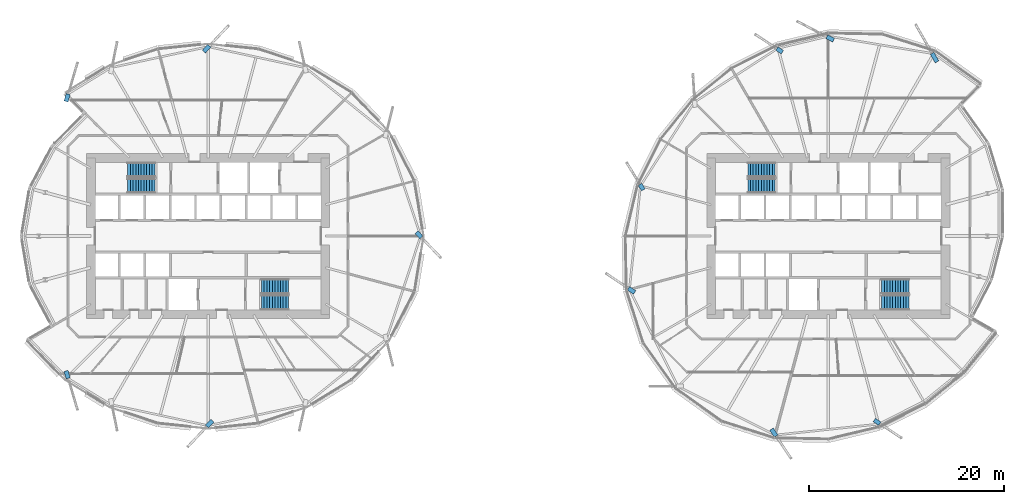
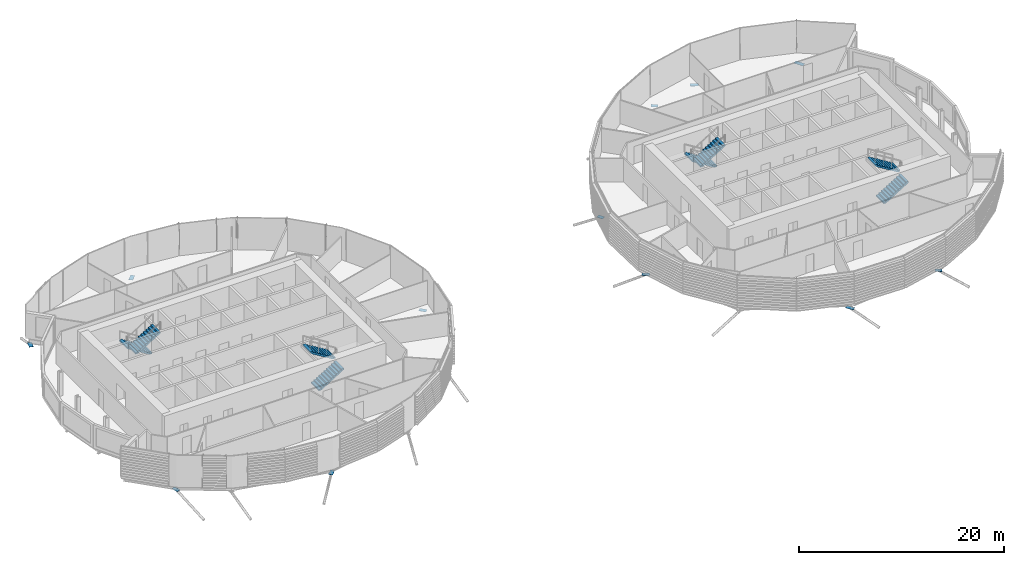
# One storey, part 25 of 36: 12 discrete accessories, 8 stair flights, 4 elements without a shape of their own.
"""IFC4 building model written with IfcOpenShell, lengths in metres."""

from ifc_helpers import new_model, si_unit, direction, frame, origin, origin_2d, place, context, subcontext, project, spatial, polyline, rectangle, outline, extrude, material, material_profile, profile_set, type_object, element, aggregate, save


model = new_model("IFC4")

# Units and contexts
model_context = context("Model", 3, precision=1e-05, world=origin(), true_north=direction((0.0, 1.0)))
body_context = subcontext(model_context, "Body", "Model", "MODEL_VIEW")
ifc_project = project(units=[si_unit("LENGTHUNIT", "METRE"), si_unit("AREAUNIT", "SQUARE_METRE"), si_unit("VOLUMEUNIT", "CUBIC_METRE"), si_unit("PLANEANGLEUNIT", "RADIAN"), si_unit("MASSUNIT", "GRAM", prefix="KILO")], contexts=[model_context])

# Site, building, storey
site_placement = place(None, origin())
site = spatial("IfcSite", under=ifc_project, at=site_placement, CompositionType="ELEMENT")
building_placement = place(site_placement, origin())
building = spatial("IfcBuilding", under=site, at=building_placement, Name="Rimbun Link Towers", CompositionType="ELEMENT")
storey_placement = place(building_placement, frame((0.0, 0.0, 37.60009765625)))
storey = spatial("IfcBuildingStorey", under=building, at=storey_placement, Name="L08", CompositionType="ELEMENT", Elevation=37.60009765625)

# Stair, stair flights
ifc_material_1 = material(Name="Concrete C40/50", Category="concrete")
stair_type = type_object("IfcStairType", Name="Exit stair 3800 rise", PredefinedType="HALF_TURN_STAIR", material=ifc_material_1)
stair_1_placement = place(storey_placement, origin())
stair_1 = element("IfcStair", 1, at=stair_1_placement, inside=storey, type_object=stair_type, Name="L08 EXIT STAIR A", PredefinedType="HALF_TURN_STAIR")
ifc_material_2 = material(Name="Concrete C40/50", Category="concrete")
stair_flight_type = type_object("IfcStairFlightType", Name="Exit stair flight 3800 rise", PredefinedType="STRAIGHT", material=ifc_material_2)
stair_flight_1_placement = place(storey_placement, frame((-37.199951171875, 6.800048828125, 0.0), z_axis=(0.0, 0.0, 1.0), x_axis=(-1.0, 0.0, 0.0)))
stair_flight_1 = element("IfcStairFlight", 2, at=stair_flight_1_placement, type_object=stair_flight_type, Name="ST1 flight 1", NumberOfRisers=11, NumberOfTreads=10, PredefinedType="STRAIGHT", RiserHeight=0.172727273, TreadLength=0.28, context=body_context, shape_type="SweptSolid", body=[
    extrude(outline(polyline([(0.0, 0.0), (0.0, 0.172607421875), (0.280029296875, 0.172607421875), (0.280029296875, 0.345458984375), (0.56005859375, 0.345458984375), (0.56005859375, 0.51806640625), (0.840087890625, 0.51806640625), (0.840087890625, 0.69091796875), (1.1201171875, 0.69091796875), (1.1201171875, 0.863525390625), (1.39990234375, 0.863525390625), (1.39990234375, 1.036376953125), (1.679931640625, 1.036376953125), (1.679931640625, 1.208984375), (1.9599609375, 1.208984375), (1.9599609375, 1.3818359375), (2.239990234375, 1.3818359375), (2.239990234375, 1.554443359375), (2.52001953125, 1.554443359375), (2.52001953125, 1.727294921875), (2.800048828125, 1.727294921875), (2.800048828125, 1.89990234375), (2.800048828125, 1.551025390625), (0.280029296875, 0.0), (0.0, 0.0)])), frame((0.0, 0.75, 0.0), z_axis=(0.0, -1.0, 0.0), x_axis=(1.0, 0.0, 0.0)), (0.0, 0.0, 1.0), 1.5),
])
stair_flight_2_placement = place(storey_placement, frame((-40.0, 5.14990234375, 1.89990234375), z_axis=(0.0, 0.0, 1.0), x_axis=(1.0, 0.0, 0.0)))
stair_flight_2 = element("IfcStairFlight", 3, at=stair_flight_2_placement, type_object=stair_flight_type, Name="ST1 flight 2", NumberOfRisers=11, NumberOfTreads=10, PredefinedType="STRAIGHT", RiserHeight=0.172727273, TreadLength=0.28, context=body_context, shape_type="SweptSolid", body=[
    extrude(outline(polyline([(0.0, 0.0), (0.0, 0.172607421875), (0.280029296875, 0.172607421875), (0.280029296875, 0.345458984375), (0.56005859375, 0.345458984375), (0.56005859375, 0.51806640625), (0.840087890625, 0.51806640625), (0.840087890625, 0.69091796875), (1.1201171875, 0.69091796875), (1.1201171875, 0.863525390625), (1.39990234375, 0.863525390625), (1.39990234375, 1.036376953125), (1.679931640625, 1.036376953125), (1.679931640625, 1.208984375), (1.9599609375, 1.208984375), (1.9599609375, 1.3818359375), (2.239990234375, 1.3818359375), (2.239990234375, 1.554443359375), (2.52001953125, 1.554443359375), (2.52001953125, 1.727294921875), (2.800048828125, 1.727294921875), (2.800048828125, 1.89990234375), (2.800048828125, 1.551025390625), (0.280029296875, 0.0), (0.0, 0.0)])), frame((0.0, 0.75, 0.0), z_axis=(0.0, -1.0, 0.0), x_axis=(1.0, 0.0, 0.0)), (0.0, 0.0, 1.0), 1.5),
])
aggregate(stair_1, [stair_flight_1, stair_flight_2])

stair_2_placement = place(storey_placement, origin())
stair_2 = element("IfcStair", 4, at=stair_2_placement, inside=storey, type_object=stair_type, Name="L08 EXIT STAIR B", PredefinedType="HALF_TURN_STAIR")
stair_flight_3_placement = place(storey_placement, frame((-26.300048828125, -6.800048828125, 0.0), z_axis=(0.0, 0.0, 1.0), x_axis=(1.0, 0.0, 0.0)))
stair_flight_3 = element("IfcStairFlight", 5, at=stair_flight_3_placement, type_object=stair_flight_type, Name="ST2 flight 1", NumberOfRisers=11, NumberOfTreads=10, PredefinedType="STRAIGHT", RiserHeight=0.172727273, TreadLength=0.28, context=body_context, shape_type="SweptSolid", body=[
    extrude(outline(polyline([(0.0, 0.0), (0.0, 0.172607421875), (0.280029296875, 0.172607421875), (0.280029296875, 0.345458984375), (0.56005859375, 0.345458984375), (0.56005859375, 0.51806640625), (0.840087890625, 0.51806640625), (0.840087890625, 0.69091796875), (1.1201171875, 0.69091796875), (1.1201171875, 0.863525390625), (1.39990234375, 0.863525390625), (1.39990234375, 1.036376953125), (1.679931640625, 1.036376953125), (1.679931640625, 1.208984375), (1.9599609375, 1.208984375), (1.9599609375, 1.3818359375), (2.239990234375, 1.3818359375), (2.239990234375, 1.554443359375), (2.52001953125, 1.554443359375), (2.52001953125, 1.727294921875), (2.800048828125, 1.727294921875), (2.800048828125, 1.89990234375), (2.800048828125, 1.551025390625), (0.280029296875, 0.0), (0.0, 0.0)])), frame((0.0, 0.75, 0.0), z_axis=(0.0, -1.0, 0.0), x_axis=(1.0, 0.0, 0.0)), (0.0, 0.0, 1.0), 1.5),
])
stair_flight_4_placement = place(storey_placement, frame((-23.5, -5.14990234375, 1.89990234375), z_axis=(0.0, 0.0, 1.0), x_axis=(-1.0, 0.0, 0.0)))
stair_flight_4 = element("IfcStairFlight", 6, at=stair_flight_4_placement, type_object=stair_flight_type, Name="ST2 flight 2", NumberOfRisers=11, NumberOfTreads=10, PredefinedType="STRAIGHT", RiserHeight=0.172727273, TreadLength=0.28, context=body_context, shape_type="SweptSolid", body=[
    extrude(outline(polyline([(0.0, 0.0), (0.0, 0.172607421875), (0.280029296875, 0.172607421875), (0.280029296875, 0.345458984375), (0.56005859375, 0.345458984375), (0.56005859375, 0.51806640625), (0.840087890625, 0.51806640625), (0.840087890625, 0.69091796875), (1.1201171875, 0.69091796875), (1.1201171875, 0.863525390625), (1.39990234375, 0.863525390625), (1.39990234375, 1.036376953125), (1.679931640625, 1.036376953125), (1.679931640625, 1.208984375), (1.9599609375, 1.208984375), (1.9599609375, 1.3818359375), (2.239990234375, 1.3818359375), (2.239990234375, 1.554443359375), (2.52001953125, 1.554443359375), (2.52001953125, 1.727294921875), (2.800048828125, 1.727294921875), (2.800048828125, 1.89990234375), (2.800048828125, 1.551025390625), (0.280029296875, 0.0), (0.0, 0.0)])), frame((0.0, 0.75, 0.0), z_axis=(0.0, -1.0, 0.0), x_axis=(1.0, 0.0, 0.0)), (0.0, 0.0, 1.0), 1.5),
])
aggregate(stair_2, [stair_flight_3, stair_flight_4])

stair_3_placement = place(storey_placement, origin())
stair_3 = element("IfcStair", 7, at=stair_3_placement, inside=storey, type_object=stair_type, Name="L08 EXIT STAIR A", PredefinedType="HALF_TURN_STAIR")
stair_flight_5_placement = place(storey_placement, frame((26.300048828125, 6.800048828125, 0.0), z_axis=(0.0, 0.0, 1.0), x_axis=(-1.0, 0.0, 0.0)))
stair_flight_5 = element("IfcStairFlight", 8, at=stair_flight_5_placement, type_object=stair_flight_type, Name="ST3 flight 1", NumberOfRisers=11, NumberOfTreads=10, PredefinedType="STRAIGHT", RiserHeight=0.172727273, TreadLength=0.28, context=body_context, shape_type="SweptSolid", body=[
    extrude(outline(polyline([(0.0, 0.0), (0.0, 0.172607421875), (0.280029296875, 0.172607421875), (0.280029296875, 0.345458984375), (0.56005859375, 0.345458984375), (0.56005859375, 0.51806640625), (0.840087890625, 0.51806640625), (0.840087890625, 0.69091796875), (1.1201171875, 0.69091796875), (1.1201171875, 0.863525390625), (1.39990234375, 0.863525390625), (1.39990234375, 1.036376953125), (1.679931640625, 1.036376953125), (1.679931640625, 1.208984375), (1.9599609375, 1.208984375), (1.9599609375, 1.3818359375), (2.239990234375, 1.3818359375), (2.239990234375, 1.554443359375), (2.52001953125, 1.554443359375), (2.52001953125, 1.727294921875), (2.800048828125, 1.727294921875), (2.800048828125, 1.89990234375), (2.800048828125, 1.551025390625), (0.280029296875, 0.0), (0.0, 0.0)])), frame((0.0, 0.75, 0.0), z_axis=(0.0, -1.0, 0.0), x_axis=(1.0, 0.0, 0.0)), (0.0, 0.0, 1.0), 1.5),
])
stair_flight_6_placement = place(storey_placement, frame((23.5, 5.14990234375, 1.89990234375), z_axis=(0.0, 0.0, 1.0), x_axis=(1.0, 0.0, 0.0)))
stair_flight_6 = element("IfcStairFlight", 9, at=stair_flight_6_placement, type_object=stair_flight_type, Name="ST3 flight 2", NumberOfRisers=11, NumberOfTreads=10, PredefinedType="STRAIGHT", RiserHeight=0.172727273, TreadLength=0.28, context=body_context, shape_type="SweptSolid", body=[
    extrude(outline(polyline([(0.0, 0.0), (0.0, 0.172607421875), (0.280029296875, 0.172607421875), (0.280029296875, 0.345458984375), (0.56005859375, 0.345458984375), (0.56005859375, 0.51806640625), (0.840087890625, 0.51806640625), (0.840087890625, 0.69091796875), (1.1201171875, 0.69091796875), (1.1201171875, 0.863525390625), (1.39990234375, 0.863525390625), (1.39990234375, 1.036376953125), (1.679931640625, 1.036376953125), (1.679931640625, 1.208984375), (1.9599609375, 1.208984375), (1.9599609375, 1.3818359375), (2.239990234375, 1.3818359375), (2.239990234375, 1.554443359375), (2.52001953125, 1.554443359375), (2.52001953125, 1.727294921875), (2.800048828125, 1.727294921875), (2.800048828125, 1.89990234375), (2.800048828125, 1.551025390625), (0.280029296875, 0.0), (0.0, 0.0)])), frame((0.0, 0.75, 0.0), z_axis=(0.0, -1.0, 0.0), x_axis=(1.0, 0.0, 0.0)), (0.0, 0.0, 1.0), 1.5),
])
aggregate(stair_3, [stair_flight_5, stair_flight_6])

stair_4_placement = place(storey_placement, origin())
stair_4 = element("IfcStair", 10, at=stair_4_placement, inside=storey, type_object=stair_type, Name="L08 EXIT STAIR B", PredefinedType="HALF_TURN_STAIR")
stair_flight_7_placement = place(storey_placement, frame((37.199951171875, -6.800048828125, 0.0), z_axis=(0.0, 0.0, 1.0), x_axis=(1.0, 0.0, 0.0)))
stair_flight_7 = element("IfcStairFlight", 11, at=stair_flight_7_placement, type_object=stair_flight_type, Name="ST4 flight 1", NumberOfRisers=11, NumberOfTreads=10, PredefinedType="STRAIGHT", RiserHeight=0.172727273, TreadLength=0.28, context=body_context, shape_type="SweptSolid", body=[
    extrude(outline(polyline([(0.0, 0.0), (0.0, 0.172607421875), (0.280029296875, 0.172607421875), (0.280029296875, 0.345458984375), (0.56005859375, 0.345458984375), (0.56005859375, 0.51806640625), (0.840087890625, 0.51806640625), (0.840087890625, 0.69091796875), (1.1201171875, 0.69091796875), (1.1201171875, 0.863525390625), (1.39990234375, 0.863525390625), (1.39990234375, 1.036376953125), (1.679931640625, 1.036376953125), (1.679931640625, 1.208984375), (1.9599609375, 1.208984375), (1.9599609375, 1.3818359375), (2.239990234375, 1.3818359375), (2.239990234375, 1.554443359375), (2.52001953125, 1.554443359375), (2.52001953125, 1.727294921875), (2.800048828125, 1.727294921875), (2.800048828125, 1.89990234375), (2.800048828125, 1.551025390625), (0.280029296875, 0.0), (0.0, 0.0)])), frame((0.0, 0.75, 0.0), z_axis=(0.0, -1.0, 0.0), x_axis=(1.0, 0.0, 0.0)), (0.0, 0.0, 1.0), 1.5),
])
stair_flight_8_placement = place(storey_placement, frame((40.0, -5.14990234375, 1.89990234375), z_axis=(0.0, 0.0, 1.0), x_axis=(-1.0, 0.0, 0.0)))
stair_flight_8 = element("IfcStairFlight", 12, at=stair_flight_8_placement, type_object=stair_flight_type, Name="ST4 flight 2", NumberOfRisers=11, NumberOfTreads=10, PredefinedType="STRAIGHT", RiserHeight=0.172727273, TreadLength=0.28, context=body_context, shape_type="SweptSolid", body=[
    extrude(outline(polyline([(0.0, 0.0), (0.0, 0.172607421875), (0.280029296875, 0.172607421875), (0.280029296875, 0.345458984375), (0.56005859375, 0.345458984375), (0.56005859375, 0.51806640625), (0.840087890625, 0.51806640625), (0.840087890625, 0.69091796875), (1.1201171875, 0.69091796875), (1.1201171875, 0.863525390625), (1.39990234375, 0.863525390625), (1.39990234375, 1.036376953125), (1.679931640625, 1.036376953125), (1.679931640625, 1.208984375), (1.9599609375, 1.208984375), (1.9599609375, 1.3818359375), (2.239990234375, 1.3818359375), (2.239990234375, 1.554443359375), (2.52001953125, 1.554443359375), (2.52001953125, 1.727294921875), (2.800048828125, 1.727294921875), (2.800048828125, 1.89990234375), (2.800048828125, 1.551025390625), (0.280029296875, 0.0), (0.0, 0.0)])), frame((0.0, 0.75, 0.0), z_axis=(0.0, -1.0, 0.0), x_axis=(1.0, 0.0, 0.0)), (0.0, 0.0, 1.0), 1.5),
])
aggregate(stair_4, [stair_flight_7, stair_flight_8])

# Discrete accessories
ifc_material_3 = material(Name="Steel S355J2H", Category="steel")
ifc_material_profile = material_profile(ifc_material_3, rectangle(XDim=0.43310546875, YDim=0.43310546875, at=origin_2d()), Name="PL 433x433")
ifc_profile_set = profile_set([ifc_material_profile], Name="Steel S355J2H")
discrete_accessory_type = type_object("IfcDiscreteAccessoryType", Name="Link head end plate 433X20", PredefinedType="BRACKET", material=ifc_profile_set)
discrete_accessory_1_placement = place(storey_placement, frame((0.0, 0.0, -0.713134765625)))
element("IfcDiscreteAccessory", 13, at=discrete_accessory_1_placement, inside=storey, type_object=discrete_accessory_type, Name="Link head end plate T1 L08 00", PredefinedType="BRACKET", context=body_context, shape_type="SweptSolid", body=[
    extrude(outline(polyline([(-10.5849609375, 0.256103515625), (-10.072021484375, -0.280517578125), (-9.7587890625, 0.0185546875), (-10.271728515625, 0.555419921875), (-10.5849609375, 0.256103515625)])), origin(), (0.0, 0.0, 1.0), 0.02001953125),
])
discrete_accessory_2_placement = place(storey_placement, frame((0.0, 0.0, -0.78271484375)))
element("IfcDiscreteAccessory", 14, at=discrete_accessory_2_placement, inside=storey, type_object=discrete_accessory_type, Name="Link head end plate T1 L08 06", PredefinedType="BRACKET", context=body_context, shape_type="SweptSolid", body=[
    extrude(outline(polyline([(-32.02783203125, 18.74365234375), (-31.468994140625, 19.334716796875), (-31.78369140625, 19.63232421875), (-32.342529296875, 19.041259765625), (-32.02783203125, 18.74365234375)])), origin(), (0.0, 0.0, 1.0), 0.02001953125),
])
discrete_accessory_3_placement = place(storey_placement, frame((0.0, 0.0, -0.713134765625)))
element("IfcDiscreteAccessory", 15, at=discrete_accessory_3_placement, inside=storey, type_object=discrete_accessory_type, Name="Link head end plate T1 L08 09", PredefinedType="BRACKET", context=body_context, shape_type="SweptSolid", body=[
    extrude(outline(polyline([(-46.092529296875, 13.732666015625), (-45.869873046875, 14.489501953125), (-46.285400390625, 14.61181640625), (-46.508056640625, 13.85498046875), (-46.092529296875, 13.732666015625)])), origin(), (0.0, 0.0, 1.0), 0.02001953125),
])
discrete_accessory_4_placement = place(storey_placement, frame((0.0, 0.0, -0.713134765625)))
element("IfcDiscreteAccessory", 16, at=discrete_accessory_4_placement, inside=storey, type_object=discrete_accessory_type, Name="Link head end plate T1 L08 15", PredefinedType="BRACKET", context=body_context, shape_type="SweptSolid", body=[
    extrude(outline(polyline([(-46.509521484375, -13.856689453125), (-46.28662109375, -14.61328125), (-45.871337890625, -14.49072265625), (-46.09423828125, -13.734130859375), (-46.509521484375, -13.856689453125)])), origin(), (0.0, 0.0, 1.0), 0.02001953125),
])
discrete_accessory_5_placement = place(storey_placement, frame((0.0, 0.0, -0.78271484375)))
element("IfcDiscreteAccessory", 17, at=discrete_accessory_5_placement, inside=storey, type_object=discrete_accessory_type, Name="Link head end plate T1 L08 18", PredefinedType="BRACKET", context=body_context, shape_type="SweptSolid", body=[
    extrude(outline(polyline([(-31.47216796875, -18.74365234375), (-32.031005859375, -19.334716796875), (-31.71630859375, -19.63232421875), (-31.157470703125, -19.041259765625), (-31.47216796875, -18.74365234375)])), origin(), (0.0, 0.0, 1.0), 0.02001953125),
])
discrete_accessory_6_placement = place(storey_placement, frame((0.0, 0.0, -0.863525390625)))
element("IfcDiscreteAccessory", 18, at=discrete_accessory_6_placement, inside=storey, type_object=discrete_accessory_type, Name="Link head end plate T2 L08 01", PredefinedType="BRACKET", context=body_context, shape_type="SweptSolid", body=[
    extrude(outline(polyline([(43.06201171875, 17.953369140625), (42.563720703125, 18.82421875), (42.18798828125, 18.60888671875), (42.686279296875, 17.73828125), (43.06201171875, 17.953369140625)])), origin(), (0.0, 0.0, 1.0), 0.02001953125),
])
discrete_accessory_7_placement = place(storey_placement, frame((0.0, 0.0, -0.863525390625)))
element("IfcDiscreteAccessory", 19, at=discrete_accessory_7_placement, inside=storey, type_object=discrete_accessory_type, Name="Link head end plate T2 L08 03", PredefinedType="BRACKET", context=body_context, shape_type="SweptSolid", body=[
    extrude(outline(polyline([(32.392578125, 20.2421875), (31.69140625, 20.60888671875), (31.490478515625, 20.225341796875), (32.19189453125, 19.8583984375), (32.392578125, 20.2421875)])), origin(), (0.0, 0.0, 1.0), 0.02001953125),
])
discrete_accessory_8_placement = place(storey_placement, frame((0.0, 0.0, -0.78271484375)))
element("IfcDiscreteAccessory", 20, at=discrete_accessory_8_placement, inside=storey, type_object=discrete_accessory_type, Name="Link head end plate T2 L08 04", PredefinedType="BRACKET", context=body_context, shape_type="SweptSolid", body=[
    extrude(outline(polyline([(27.1640625, 19.010986328125), (26.596923828125, 19.385009765625), (26.358642578125, 19.0234375), (26.92578125, 18.649658203125), (27.1640625, 19.010986328125)])), origin(), (0.0, 0.0, 1.0), 0.02001953125),
])
discrete_accessory_9_placement = place(storey_placement, frame((0.0, 0.0, -0.58642578125)))
element("IfcDiscreteAccessory", 21, at=discrete_accessory_9_placement, inside=storey, type_object=discrete_accessory_type, Name="Link head end plate T2 L08 08", PredefinedType="BRACKET", context=body_context, shape_type="SweptSolid", body=[
    extrude(outline(polyline([(12.991455078125, 4.852294921875), (12.64794921875, 5.412841796875), (12.27880859375, 5.186767578125), (12.622314453125, 4.6259765625), (12.991455078125, 4.852294921875)])), origin(), (0.0, 0.0, 1.0), 0.02001953125),
])
discrete_accessory_10_placement = place(storey_placement, frame((0.0, 0.0, -0.633544921875)))
element("IfcDiscreteAccessory", 22, at=discrete_accessory_10_placement, inside=storey, type_object=discrete_accessory_type, Name="Link head end plate T2 L08 10", PredefinedType="BRACKET", context=body_context, shape_type="SweptSolid", body=[
    extrude(outline(polyline([(12.0419921875, -5.594482421875), (11.400390625, -5.164306640625), (11.1591796875, -5.52392578125), (11.80078125, -5.9541015625), (12.0419921875, -5.594482421875)])), origin(), (0.0, 0.0, 1.0), 0.02001953125),
])
discrete_accessory_11_placement = place(storey_placement, frame((0.0, 0.0, -0.863525390625)))
element("IfcDiscreteAccessory", 23, at=discrete_accessory_11_placement, inside=storey, type_object=discrete_accessory_type, Name="Link head end plate T2 L08 14", PredefinedType="BRACKET", context=body_context, shape_type="SweptSolid", body=[
    extrude(outline(polyline([(25.754638671875, -19.88525390625), (26.22509765625, -20.590087890625), (26.585205078125, -20.349609375), (26.11474609375, -19.644775390625), (25.754638671875, -19.88525390625)])), origin(), (0.0, 0.0, 1.0), 0.02001953125),
])
discrete_accessory_12_placement = place(storey_placement, frame((0.0, 0.0, -0.78271484375)))
element("IfcDiscreteAccessory", 24, at=discrete_accessory_12_placement, inside=storey, type_object=discrete_accessory_type, Name="Link head end plate T2 L08 16", PredefinedType="BRACKET", context=body_context, shape_type="SweptSolid", body=[
    extrude(outline(polyline([(36.335205078125, -19.009033203125), (36.902587890625, -19.38330078125), (37.140869140625, -19.021728515625), (36.57373046875, -18.647705078125), (36.335205078125, -19.009033203125)])), origin(), (0.0, 0.0, 1.0), 0.02001953125),
])

save(model, "model.ifc")
